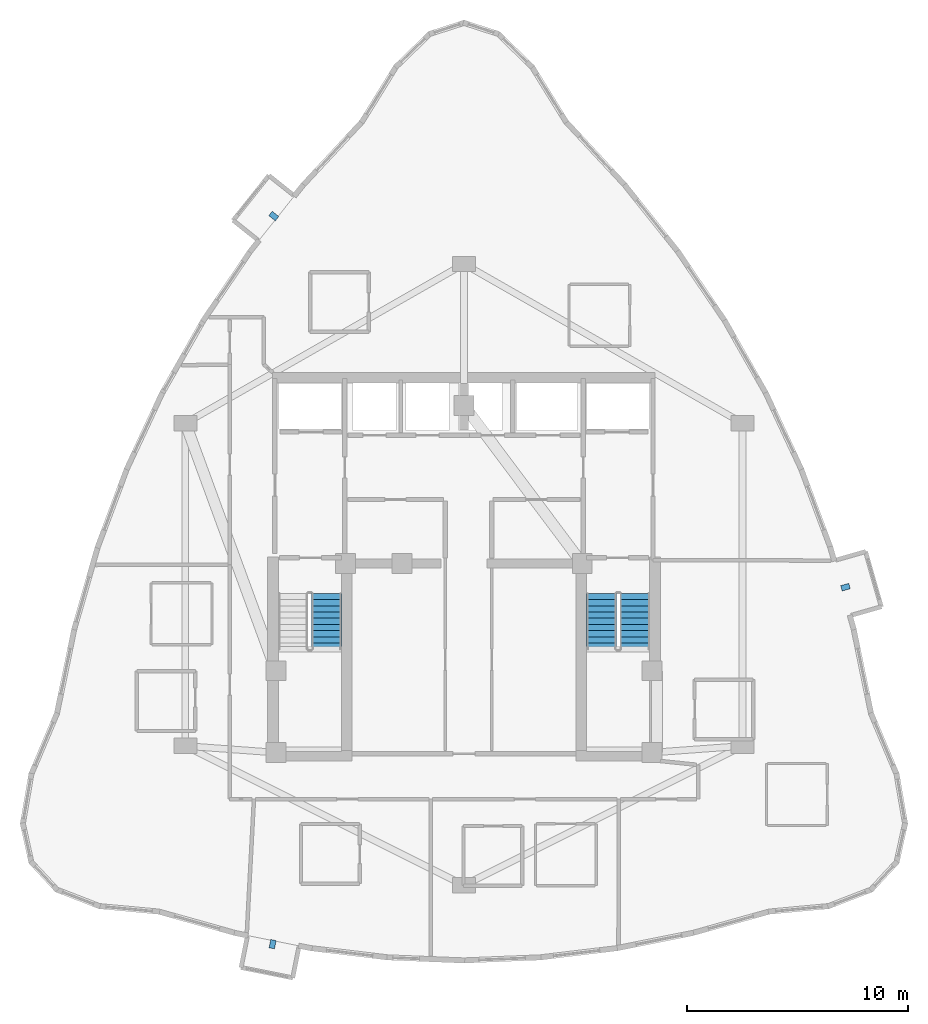
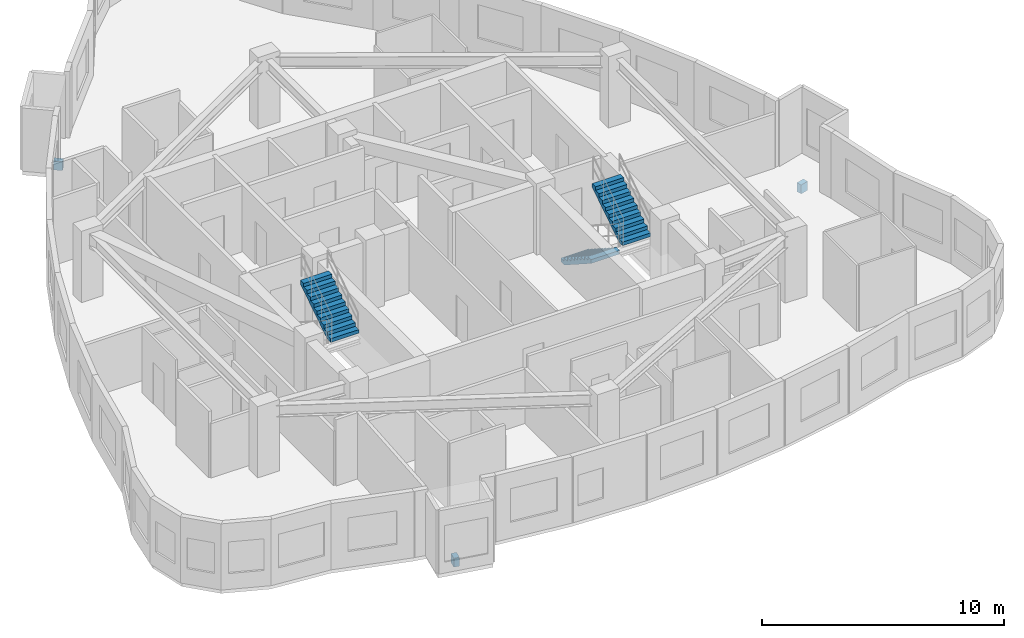
# One storey, part 9 of 10: 3 discrete accessories, 3 stair flights, 2 elements without a shape of their own.
"""IFC4 building model written with IfcOpenShell, lengths in metres."""

from ifc_helpers import new_model, si_unit, direction, frame, origin, origin_2d, place, context, subcontext, project, spatial, polyline, rectangle, outline, extrude, material, type_object, element, aggregate, save


model = new_model("IFC4")

# Units and contexts
model_context = context("Model", 3, precision=1e-05, world=origin(), true_north=direction((0.0, 1.0)))
body_context = subcontext(model_context, "Body", "Model", "MODEL_VIEW")
ifc_project = project(units=[si_unit("LENGTHUNIT", "METRE"), si_unit("AREAUNIT", "SQUARE_METRE"), si_unit("VOLUMEUNIT", "CUBIC_METRE"), si_unit("PLANEANGLEUNIT", "RADIAN"), si_unit("MASSUNIT", "GRAM", prefix="KILO")], contexts=[model_context])

# Site, building, storey
site_placement = place(None, origin())
site = spatial("IfcSite", under=ifc_project, at=site_placement, CompositionType="ELEMENT")
building_placement = place(site_placement, origin())
building = spatial("IfcBuilding", under=site, at=building_placement, Name="Miruveldt Soraemaru", CompositionType="ELEMENT")
storey_placement = place(building_placement, frame((0.0, 0.0, 230.39990234375)))
storey = spatial("IfcBuildingStorey", under=building, at=storey_placement, Name="L63", CompositionType="ELEMENT", Elevation=230.39990234375)

# Stair, stair flight
ifc_material_1 = material(Name="Concrete C40/50 (40 MPa)", Category="concrete")
stair_type = type_object("IfcStairType", Name="STAIR-DL-360", PredefinedType="HALF_TURN_STAIR", material=ifc_material_1)
stair_1_placement = place(storey_placement, origin())
stair_1 = element("IfcStair", 1, at=stair_1_placement, inside=storey, type_object=stair_type, Name="L63 Protected Exit Stair ST-1", PredefinedType="HALF_TURN_STAIR")
stair_flight_type = type_object("IfcStairFlightType", Name="SFL-DL-360", PredefinedType="STRAIGHT", material=ifc_material_1)
stair_flight_1_placement = place(storey_placement, frame((37.77490234375, 40.179931640625, 1.800048828125), z_axis=(0.0, 0.0, 1.0), x_axis=(0.0, 1.0, 0.0)))
stair_flight_1 = element("IfcStairFlight", 2, at=stair_flight_1_placement, type_object=stair_flight_type, Name="ST-1 flight 2", NumberOfRisers=10, NumberOfTreads=9, PredefinedType="STRAIGHT", RiserHeight=0.18, TreadLength=0.28, context=body_context, shape_type="SweptSolid", body=[
    extrude(outline(polyline([(0.0, 0.0), (0.0, 0.179931640625), (0.280029296875, 0.179931640625), (0.280029296875, 0.360107421875), (0.56005859375, 0.360107421875), (0.56005859375, 0.5400390625), (0.840087890625, 0.5400390625), (0.840087890625, 0.719970703125), (1.1201171875, 0.719970703125), (1.1201171875, 0.89990234375), (1.39990234375, 0.89990234375), (1.39990234375, 1.080078125), (1.679931640625, 1.080078125), (1.679931640625, 1.260009765625), (1.9599609375, 1.260009765625), (1.9599609375, 1.43994140625), (2.239990234375, 1.43994140625), (2.239990234375, 1.6201171875), (2.52001953125, 1.6201171875), (2.52001953125, 1.800048828125), (2.52001953125, 1.429931640625), (0.295654296875, 0.0), (0.0, 0.0)])), frame((0.0, 0.675048828125, 0.0), z_axis=(0.0, -1.0, 0.0), x_axis=(1.0, 0.0, 0.0)), (0.0, 0.0, 1.0), 1.35009765625),
])
aggregate(stair_1, [stair_flight_1])

# Stair, stair flights
stair_2_placement = place(storey_placement, origin())
stair_2 = element("IfcStair", 3, at=stair_2_placement, inside=storey, type_object=stair_type, Name="L63 Protected Exit Stair ST-2", PredefinedType="HALF_TURN_STAIR")
stair_flight_2_placement = place(storey_placement, frame((50.22509765625, 42.699951171875, 0.0), z_axis=(0.0, 0.0, 1.0), x_axis=(0.0, -1.0, 0.0)))
stair_flight_2 = element("IfcStairFlight", 4, at=stair_flight_2_placement, type_object=stair_flight_type, Name="ST-2 flight 1", NumberOfRisers=10, NumberOfTreads=9, PredefinedType="STRAIGHT", RiserHeight=0.18, TreadLength=0.28, context=body_context, shape_type="SweptSolid", body=[
    extrude(outline(polyline([(0.0, 0.0), (0.0, 0.179931640625), (0.280029296875, 0.179931640625), (0.280029296875, 0.360107421875), (0.56005859375, 0.360107421875), (0.56005859375, 0.5400390625), (0.840087890625, 0.5400390625), (0.840087890625, 0.719970703125), (1.1201171875, 0.719970703125), (1.1201171875, 0.89990234375), (1.39990234375, 0.89990234375), (1.39990234375, 1.080078125), (1.679931640625, 1.080078125), (1.679931640625, 1.260009765625), (1.9599609375, 1.260009765625), (1.9599609375, 1.43994140625), (2.239990234375, 1.43994140625), (2.239990234375, 1.6201171875), (2.52001953125, 1.6201171875), (2.52001953125, 1.800048828125), (2.52001953125, 1.429931640625), (0.295654296875, 0.0), (0.0, 0.0)])), frame((0.0, 0.675048828125, 0.0), z_axis=(0.0, -1.0, 0.0), x_axis=(1.0, 0.0, 0.0)), (0.0, 0.0, 1.0), 1.35009765625),
])
stair_flight_3_placement = place(storey_placement, frame((51.72509765625, 40.179931640625, 1.800048828125), z_axis=(0.0, 0.0, 1.0), x_axis=(0.0, 1.0, 0.0)))
stair_flight_3 = element("IfcStairFlight", 5, at=stair_flight_3_placement, type_object=stair_flight_type, Name="ST-2 flight 2", NumberOfRisers=10, NumberOfTreads=9, PredefinedType="STRAIGHT", RiserHeight=0.18, TreadLength=0.28, context=body_context, shape_type="SweptSolid", body=[
    extrude(outline(polyline([(0.0, 0.0), (0.0, 0.179931640625), (0.280029296875, 0.179931640625), (0.280029296875, 0.360107421875), (0.56005859375, 0.360107421875), (0.56005859375, 0.5400390625), (0.840087890625, 0.5400390625), (0.840087890625, 0.719970703125), (1.1201171875, 0.719970703125), (1.1201171875, 0.89990234375), (1.39990234375, 0.89990234375), (1.39990234375, 1.080078125), (1.679931640625, 1.080078125), (1.679931640625, 1.260009765625), (1.9599609375, 1.260009765625), (1.9599609375, 1.43994140625), (2.239990234375, 1.43994140625), (2.239990234375, 1.6201171875), (2.52001953125, 1.6201171875), (2.52001953125, 1.800048828125), (2.52001953125, 1.429931640625), (0.295654296875, 0.0), (0.0, 0.0)])), frame((0.0, 0.675048828125, 0.0), z_axis=(0.0, -1.0, 0.0), x_axis=(1.0, 0.0, 0.0)), (0.0, 0.0, 1.0), 1.35009765625),
])
aggregate(stair_2, [stair_flight_2, stair_flight_3])

# Discrete accessories
ifc_material_2 = material(Name="Steel SM355 (355 MPa)", Category="steel")
discrete_accessory_type = type_object("IfcDiscreteAccessoryType", Name="ACC-BAY-BRK", PredefinedType="BRACKET", material=ifc_material_2)
for number, where, z_axis, x_axis, name in (
    (6, (35.3974609375, 59.768310546875, -0.69970703125), (0.0, 0.0, 1.0), (-0.781727315753, 0.623620400408, 0.0), "L63 Bay Window Cantilever Bracket 1"),
    (7, (35.344482421875, 26.836181640625, -0.69970703125), (0.0, 0.0, 1.0), (-0.196117290802, -0.980580444557, 0.0), "L63 Bay Window Cantilever Bracket 2"),
    (8, (61.255615234375, 42.982421875, -0.69970703125), (0.0, 0.0, 1.0), (0.961453892845, 0.274966201438, 0.0), "L63 Bay Window Cantilever Bracket 3"),
):
    element("IfcDiscreteAccessory", number, at=place(storey_placement, frame(where, z_axis=z_axis, x_axis=x_axis)), inside=storey, type_object=discrete_accessory_type, Name=name, PredefinedType="BRACKET", context=body_context, shape_type="SweptSolid", body=[
        extrude(rectangle(XDim=0.3798828125, YDim=0.25, at=origin_2d()), origin(), (0.0, 0.0, 1.0), 0.449951171875),
    ])

save(model, "model.ifc")
